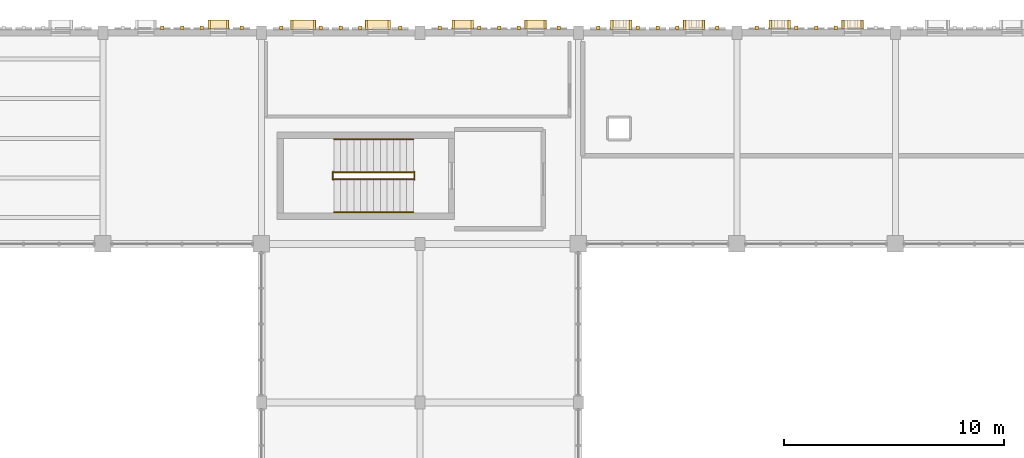
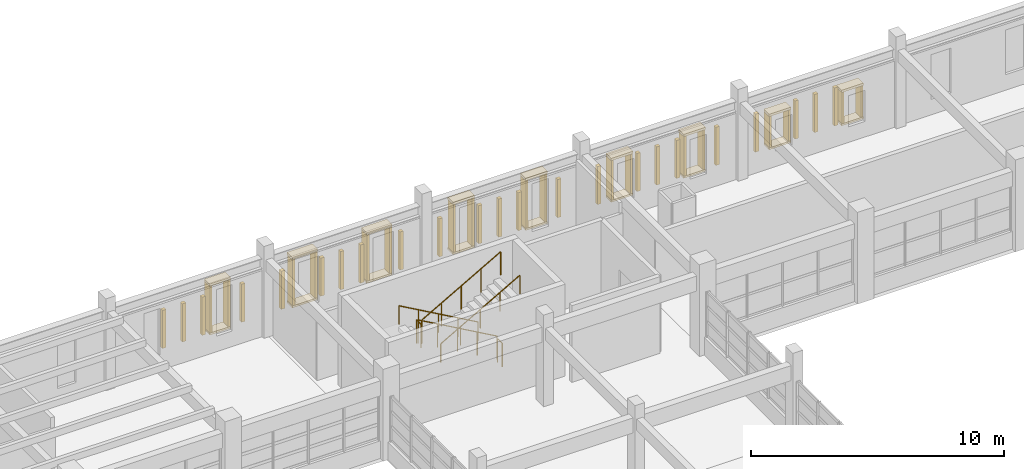
# One storey, part 59 of 69: 59 coverings, 6 railings.
"""IFC4 building model written with IfcOpenShell, lengths in metres."""

from ifc_helpers import new_model, si_unit, direction, frame, origin, origin_2d, place, context, subcontext, project, spatial, rectangle, circle, extrude, material, layer, layer_set, type_object, element, save


model = new_model("IFC4")

# Units and contexts
model_context = context("Model", 3, precision=1e-05, world=origin(), true_north=direction((0.0, 1.0)))
body_context = subcontext(model_context, "Body", "Model", "MODEL_VIEW")
ifc_project = project(units=[si_unit("LENGTHUNIT", "METRE"), si_unit("AREAUNIT", "SQUARE_METRE"), si_unit("VOLUMEUNIT", "CUBIC_METRE"), si_unit("PLANEANGLEUNIT", "RADIAN"), si_unit("MASSUNIT", "GRAM", prefix="KILO")], contexts=[model_context])

# Site, building, storey
site_placement = place(None, origin())
site = spatial("IfcSite", under=ifc_project, at=site_placement, CompositionType="ELEMENT")
building_placement = place(site_placement, origin())
building = spatial("IfcBuilding", under=site, at=building_placement, Name="Nzembalo Square Collegiate School", CompositionType="ELEMENT")
storey_placement = place(building_placement, frame((0.0, 0.0, 5.10009765625)))
storey = spatial("IfcBuildingStorey", under=building, at=storey_placement, Name="L01", CompositionType="ELEMENT", Elevation=5.10009765625)

# Coverings
ifc_material_1 = material(Name="Glazed ochre ceramic lancet rib")
ifc_layer_1 = layer(ifc_material_1, 0.159912109375, Name="Glazed ochre ceramic lancet rib")
ifc_layer_set_1 = layer_set([ifc_layer_1], Name="Glazed ochre ceramic lancet rib")
covering_type_1 = type_object("IfcCoveringType", Name="CL02", PredefinedType="CLADDING", material=ifc_layer_set_1)
for number, where, z_axis, x_axis, name in (
    (1, (72.300048828125, 114.22998046875, 0.760009765625), (0.0, 0.0, 1.0), (1.0, 0.0, 0.0), "Gothic ceramic rib CL02-X0124-2"),
    (2, (73.199951171875, 114.22998046875, 0.760009765625), (0.0, 0.0, 1.0), (1.0, 0.0, 0.0), "Gothic ceramic rib CL02-X0124-3"),
    (3, (74.10009765625, 114.22998046875, 0.760009765625), (0.0, 0.0, 1.0), (1.0, 0.0, 0.0), "Gothic ceramic rib CL02-X0124-4"),
    (4, (75.89990234375, 114.22998046875, 0.760009765625), (0.0, 0.0, 1.0), (1.0, 0.0, 0.0), "Gothic ceramic rib CL02-X0124-6"),
    (5, (77.699951171875, 114.219970703125, 0.760009765625), (0.0, 0.0, 1.0), (1.0, 0.0, 0.0), "Gothic ceramic rib CL02-X0125-0"),
    (6, (79.5, 114.219970703125, 0.760009765625), (0.0, 0.0, 1.0), (1.0, 0.0, 0.0), "Gothic ceramic rib CL02-X0125-2"),
    (7, (80.39990234375, 114.219970703125, 0.760009765625), (0.0, 0.0, 1.0), (1.0, 0.0, 0.0), "Gothic ceramic rib CL02-X0125-3"),
    (8, (81.300048828125, 114.219970703125, 0.760009765625), (0.0, 0.0, 1.0), (1.0, 0.0, 0.0), "Gothic ceramic rib CL02-X0125-4"),
    (9, (83.10009765625, 114.219970703125, 0.760009765625), (0.0, 0.0, 1.0), (1.0, 0.0, 0.0), "Gothic ceramic rib CL02-X0125-6"),
    (10, (84.89990234375, 114.22998046875, 0.760009765625), (0.0, 0.0, 1.0), (1.0, 0.0, 0.0), "Gothic ceramic rib CL02-X0126-0"),
    (11, (86.699951171875, 114.22998046875, 0.760009765625), (0.0, 0.0, 1.0), (1.0, 0.0, 0.0), "Gothic ceramic rib CL02-X0126-2"),
    (12, (87.60009765625, 114.22998046875, 0.760009765625), (0.0, 0.0, 1.0), (1.0, 0.0, 0.0), "Gothic ceramic rib CL02-X0126-3"),
    (13, (88.5, 114.22998046875, 0.760009765625), (0.0, 0.0, 1.0), (1.0, 0.0, 0.0), "Gothic ceramic rib CL02-X0126-4"),
    (14, (90.300048828125, 114.22998046875, 0.760009765625), (0.0, 0.0, 1.0), (1.0, 0.0, 0.0), "Gothic ceramic rib CL02-X0126-6"),
    (15, (92.10009765625, 114.219970703125, 0.760009765625), (0.0, 0.0, 1.0), (1.0, 0.0, 0.0), "Gothic ceramic rib CL02-X0127-0"),
    (16, (93.89990234375, 114.219970703125, 0.760009765625), (0.0, 0.0, 1.0), (1.0, 0.0, 0.0), "Gothic ceramic rib CL02-X0127-2"),
    (17, (94.800048828125, 114.219970703125, 0.760009765625), (0.0, 0.0, 1.0), (1.0, 0.0, 0.0), "Gothic ceramic rib CL02-X0127-3"),
    (18, (95.699951171875, 114.219970703125, 0.760009765625), (0.0, 0.0, 1.0), (1.0, 0.0, 0.0), "Gothic ceramic rib CL02-X0127-4"),
    (19, (97.5, 114.219970703125, 0.760009765625), (0.0, 0.0, 1.0), (1.0, 0.0, 0.0), "Gothic ceramic rib CL02-X0127-6"),
    (20, (99.300048828125, 114.22998046875, 0.760009765625), (0.0, 0.0, 1.0), (1.0, 0.0, 0.0), "Gothic ceramic rib CL02-X0128-0"),
    (21, (101.10009765625, 114.22998046875, 0.760009765625), (0.0, 0.0, 1.0), (1.0, 0.0, 0.0), "Gothic ceramic rib CL02-X0128-2"),
    (22, (102.0, 114.22998046875, 0.760009765625), (0.0, 0.0, 1.0), (1.0, 0.0, 0.0), "Gothic ceramic rib CL02-X0128-3"),
    (23, (102.89990234375, 114.22998046875, 0.760009765625), (0.0, 0.0, 1.0), (1.0, 0.0, 0.0), "Gothic ceramic rib CL02-X0128-4"),
):
    element("IfcCovering", number, at=place(storey_placement, frame(where, z_axis=z_axis, x_axis=x_axis)), inside=storey, type_object=covering_type_1, Name=name, PredefinedType="CLADDING", context=body_context, shape_type="SweptSolid", body=[
        extrude(rectangle(XDim=0.159912109375, YDim=0.159912109375, at=origin_2d()), origin(), (0.0, 0.0, 1.0), 1.833984375),
    ])
ifc_material_2 = material(Name="Glazed celadon ceramic window frame")
ifc_layer_2 = layer(ifc_material_2, 0.419921875, Name="Glazed celadon ceramic window frame")
ifc_layer_set_2 = layer_set([ifc_layer_2], Name="Glazed celadon ceramic window frame")
covering_type_2 = type_object("IfcCoveringType", Name="WF01", PredefinedType="CLADDING", material=ifc_layer_set_2)
covering_1_placement = place(storey_placement, frame((74.846435546875, 114.364990234375, 2.99462890625), z_axis=(0.0, 0.0, 1.0), x_axis=(1.0, 0.0, 0.0)))
element("IfcCovering", 24, at=covering_1_placement, inside=storey, type_object=covering_type_2, Name="Deep lancet window hood WF01-0289", PredefinedType="CLADDING", context=body_context, shape_type="SweptSolid", body=[
    extrude(rectangle(XDim=0.9599609375, YDim=0.419921875, at=origin_2d()), origin(), (0.0, 0.0, 1.0), 0.110107421875),
])
covering_2_placement = place(storey_placement, frame((74.846435546875, 114.364990234375, 0.65478515625), z_axis=(0.0, 0.0, 1.0), x_axis=(1.0, 0.0, 0.0)))
element("IfcCovering", 25, at=covering_2_placement, inside=storey, type_object=covering_type_2, Name="Deep lancet window sill WF01-0289", PredefinedType="CLADDING", context=body_context, shape_type="SweptSolid", body=[
    extrude(rectangle(XDim=0.9599609375, YDim=0.419921875, at=origin_2d()), origin(), (0.0, 0.0, 1.0), 0.090087890625),
])
for number, where, z_axis, x_axis, name in (
    (26, (74.431396484375, 114.364990234375, 0.75), (0.0, 0.0, 1.0), (1.0, 0.0, 0.0), "Deep lancet window jamb WF01-0289L"),
    (27, (75.261474609375, 114.364990234375, 0.75), (0.0, 0.0, 1.0), (1.0, 0.0, 0.0), "Deep lancet window jamb WF01-0289R"),
):
    element("IfcCovering", number, at=place(storey_placement, frame(where, z_axis=z_axis, x_axis=x_axis)), inside=storey, type_object=covering_type_2, Name=name, PredefinedType="CLADDING", context=body_context, shape_type="SweptSolid", body=[
        extrude(rectangle(XDim=0.10009765625, YDim=0.419921875, at=origin_2d()), origin(), (0.0, 0.0, 1.0), 2.239990234375),
    ])
covering_3_placement = place(storey_placement, frame((78.70361328125, 114.35498046875, 2.974609375), z_axis=(0.0, 0.0, 1.0), x_axis=(1.0, 0.0, 0.0)))
element("IfcCovering", 28, at=covering_3_placement, inside=storey, type_object=covering_type_2, Name="Deep lancet window hood WF01-0290", PredefinedType="CLADDING", context=body_context, shape_type="SweptSolid", body=[
    extrude(rectangle(XDim=1.159912109375, YDim=0.419921875, at=origin_2d()), origin(), (0.0, 0.0, 1.0), 0.110107421875),
])
covering_4_placement = place(storey_placement, frame((78.70361328125, 114.35498046875, 0.65478515625), z_axis=(0.0, 0.0, 1.0), x_axis=(1.0, 0.0, 0.0)))
element("IfcCovering", 29, at=covering_4_placement, inside=storey, type_object=covering_type_2, Name="Deep lancet window sill WF01-0290", PredefinedType="CLADDING", context=body_context, shape_type="SweptSolid", body=[
    extrude(rectangle(XDim=1.159912109375, YDim=0.419921875, at=origin_2d()), origin(), (0.0, 0.0, 1.0), 0.090087890625),
])
for number, where, z_axis, x_axis, name in (
    (30, (78.1884765625, 114.35498046875, 0.75), (0.0, 0.0, 1.0), (1.0, 0.0, 0.0), "Deep lancet window jamb WF01-0290L"),
    (31, (79.218505859375, 114.35498046875, 0.75), (0.0, 0.0, 1.0), (1.0, 0.0, 0.0), "Deep lancet window jamb WF01-0290R"),
):
    element("IfcCovering", number, at=place(storey_placement, frame(where, z_axis=z_axis, x_axis=x_axis)), inside=storey, type_object=covering_type_2, Name=name, PredefinedType="CLADDING", context=body_context, shape_type="SweptSolid", body=[
        extrude(rectangle(XDim=0.10009765625, YDim=0.419921875, at=origin_2d()), origin(), (0.0, 0.0, 1.0), 2.219970703125),
    ])
covering_5_placement = place(storey_placement, frame((82.096435546875, 114.35498046875, 2.974609375), z_axis=(0.0, 0.0, 1.0), x_axis=(1.0, 0.0, 0.0)))
element("IfcCovering", 32, at=covering_5_placement, inside=storey, type_object=covering_type_2, Name="Deep lancet window hood WF01-0291", PredefinedType="CLADDING", context=body_context, shape_type="SweptSolid", body=[
    extrude(rectangle(XDim=1.159912109375, YDim=0.419921875, at=origin_2d()), origin(), (0.0, 0.0, 1.0), 0.110107421875),
])
covering_6_placement = place(storey_placement, frame((82.096435546875, 114.35498046875, 0.65478515625), z_axis=(0.0, 0.0, 1.0), x_axis=(1.0, 0.0, 0.0)))
element("IfcCovering", 33, at=covering_6_placement, inside=storey, type_object=covering_type_2, Name="Deep lancet window sill WF01-0291", PredefinedType="CLADDING", context=body_context, shape_type="SweptSolid", body=[
    extrude(rectangle(XDim=1.159912109375, YDim=0.419921875, at=origin_2d()), origin(), (0.0, 0.0, 1.0), 0.090087890625),
])
for number, where, z_axis, x_axis, name in (
    (34, (81.58154296875, 114.35498046875, 0.75), (0.0, 0.0, 1.0), (1.0, 0.0, 0.0), "Deep lancet window jamb WF01-0291L"),
    (35, (82.611572265625, 114.35498046875, 0.75), (0.0, 0.0, 1.0), (1.0, 0.0, 0.0), "Deep lancet window jamb WF01-0291R"),
):
    element("IfcCovering", number, at=place(storey_placement, frame(where, z_axis=z_axis, x_axis=x_axis)), inside=storey, type_object=covering_type_2, Name=name, PredefinedType="CLADDING", context=body_context, shape_type="SweptSolid", body=[
        extrude(rectangle(XDim=0.10009765625, YDim=0.419921875, at=origin_2d()), origin(), (0.0, 0.0, 1.0), 2.219970703125),
    ])
covering_7_placement = place(storey_placement, frame((85.946044921875, 114.364990234375, 3.0546875), z_axis=(0.0, 0.0, 1.0), x_axis=(1.0, 0.0, 0.0)))
element("IfcCovering", 36, at=covering_7_placement, inside=storey, type_object=covering_type_2, Name="Deep lancet window hood WF01-0296", PredefinedType="CLADDING", context=body_context, shape_type="SweptSolid", body=[
    extrude(rectangle(XDim=0.989990234375, YDim=0.419921875, at=origin_2d()), origin(), (0.0, 0.0, 1.0), 0.110107421875),
])
covering_8_placement = place(storey_placement, frame((85.946044921875, 114.364990234375, 0.65478515625), z_axis=(0.0, 0.0, 1.0), x_axis=(1.0, 0.0, 0.0)))
element("IfcCovering", 37, at=covering_8_placement, inside=storey, type_object=covering_type_2, Name="Deep lancet window sill WF01-0296", PredefinedType="CLADDING", context=body_context, shape_type="SweptSolid", body=[
    extrude(rectangle(XDim=0.989990234375, YDim=0.419921875, at=origin_2d()), origin(), (0.0, 0.0, 1.0), 0.090087890625),
])
for number, where, z_axis, x_axis, name in (
    (38, (85.51611328125, 114.364990234375, 0.75), (0.0, 0.0, 1.0), (1.0, 0.0, 0.0), "Deep lancet window jamb WF01-0296L"),
    (39, (86.3759765625, 114.364990234375, 0.75), (0.0, 0.0, 1.0), (1.0, 0.0, 0.0), "Deep lancet window jamb WF01-0296R"),
):
    element("IfcCovering", number, at=place(storey_placement, frame(where, z_axis=z_axis, x_axis=x_axis)), inside=storey, type_object=covering_type_2, Name=name, PredefinedType="CLADDING", context=body_context, shape_type="SweptSolid", body=[
        extrude(rectangle(XDim=0.10009765625, YDim=0.419921875, at=origin_2d()), origin(), (0.0, 0.0, 1.0), 2.300048828125),
    ])
covering_9_placement = place(storey_placement, frame((89.25390625, 114.364990234375, 3.0546875), z_axis=(0.0, 0.0, 1.0), x_axis=(1.0, 0.0, 0.0)))
element("IfcCovering", 40, at=covering_9_placement, inside=storey, type_object=covering_type_2, Name="Deep lancet window hood WF01-0297", PredefinedType="CLADDING", context=body_context, shape_type="SweptSolid", body=[
    extrude(rectangle(XDim=0.989990234375, YDim=0.419921875, at=origin_2d()), origin(), (0.0, 0.0, 1.0), 0.110107421875),
])
covering_10_placement = place(storey_placement, frame((89.25390625, 114.364990234375, 0.65478515625), z_axis=(0.0, 0.0, 1.0), x_axis=(1.0, 0.0, 0.0)))
element("IfcCovering", 41, at=covering_10_placement, inside=storey, type_object=covering_type_2, Name="Deep lancet window sill WF01-0297", PredefinedType="CLADDING", context=body_context, shape_type="SweptSolid", body=[
    extrude(rectangle(XDim=0.989990234375, YDim=0.419921875, at=origin_2d()), origin(), (0.0, 0.0, 1.0), 0.090087890625),
])
for number, where, z_axis, x_axis, name in (
    (42, (88.823974609375, 114.364990234375, 0.75), (0.0, 0.0, 1.0), (1.0, 0.0, 0.0), "Deep lancet window jamb WF01-0297L"),
    (43, (89.68408203125, 114.364990234375, 0.75), (0.0, 0.0, 1.0), (1.0, 0.0, 0.0), "Deep lancet window jamb WF01-0297R"),
):
    element("IfcCovering", number, at=place(storey_placement, frame(where, z_axis=z_axis, x_axis=x_axis)), inside=storey, type_object=covering_type_2, Name=name, PredefinedType="CLADDING", context=body_context, shape_type="SweptSolid", body=[
        extrude(rectangle(XDim=0.10009765625, YDim=0.419921875, at=origin_2d()), origin(), (0.0, 0.0, 1.0), 2.300048828125),
    ])
covering_11_placement = place(storey_placement, frame((93.14599609375, 114.35498046875, 2.65478515625), z_axis=(0.0, 0.0, 1.0), x_axis=(1.0, 0.0, 0.0)))
element("IfcCovering", 44, at=covering_11_placement, inside=storey, type_object=covering_type_2, Name="Deep lancet window hood WF01-0298", PredefinedType="CLADDING", context=body_context, shape_type="SweptSolid", body=[
    extrude(rectangle(XDim=0.989990234375, YDim=0.419921875, at=origin_2d()), origin(), (0.0, 0.0, 1.0), 0.110107421875),
])
covering_12_placement = place(storey_placement, frame((93.14599609375, 114.35498046875, 0.65478515625), z_axis=(0.0, 0.0, 1.0), x_axis=(1.0, 0.0, 0.0)))
element("IfcCovering", 45, at=covering_12_placement, inside=storey, type_object=covering_type_2, Name="Deep lancet window sill WF01-0298", PredefinedType="CLADDING", context=body_context, shape_type="SweptSolid", body=[
    extrude(rectangle(XDim=0.989990234375, YDim=0.419921875, at=origin_2d()), origin(), (0.0, 0.0, 1.0), 0.090087890625),
])
for number, where, z_axis, x_axis, name in (
    (46, (92.716064453125, 114.35498046875, 0.75), (0.0, 0.0, 1.0), (1.0, 0.0, 0.0), "Deep lancet window jamb WF01-0298L"),
    (47, (93.575927734375, 114.35498046875, 0.75), (0.0, 0.0, 1.0), (1.0, 0.0, 0.0), "Deep lancet window jamb WF01-0298R"),
):
    element("IfcCovering", number, at=place(storey_placement, frame(where, z_axis=z_axis, x_axis=x_axis)), inside=storey, type_object=covering_type_2, Name=name, PredefinedType="CLADDING", context=body_context, shape_type="SweptSolid", body=[
        extrude(rectangle(XDim=0.10009765625, YDim=0.419921875, at=origin_2d()), origin(), (0.0, 0.0, 1.0), 1.89990234375),
    ])
covering_13_placement = place(storey_placement, frame((96.4541015625, 114.35498046875, 2.65478515625), z_axis=(0.0, 0.0, 1.0), x_axis=(1.0, 0.0, 0.0)))
element("IfcCovering", 48, at=covering_13_placement, inside=storey, type_object=covering_type_2, Name="Deep lancet window hood WF01-0299", PredefinedType="CLADDING", context=body_context, shape_type="SweptSolid", body=[
    extrude(rectangle(XDim=0.989990234375, YDim=0.419921875, at=origin_2d()), origin(), (0.0, 0.0, 1.0), 0.110107421875),
])
covering_14_placement = place(storey_placement, frame((96.4541015625, 114.35498046875, 0.65478515625), z_axis=(0.0, 0.0, 1.0), x_axis=(1.0, 0.0, 0.0)))
element("IfcCovering", 49, at=covering_14_placement, inside=storey, type_object=covering_type_2, Name="Deep lancet window sill WF01-0299", PredefinedType="CLADDING", context=body_context, shape_type="SweptSolid", body=[
    extrude(rectangle(XDim=0.989990234375, YDim=0.419921875, at=origin_2d()), origin(), (0.0, 0.0, 1.0), 0.090087890625),
])
for number, where, z_axis, x_axis, name in (
    (50, (96.02392578125, 114.35498046875, 0.75), (0.0, 0.0, 1.0), (1.0, 0.0, 0.0), "Deep lancet window jamb WF01-0299L"),
    (51, (96.884033203125, 114.35498046875, 0.75), (0.0, 0.0, 1.0), (1.0, 0.0, 0.0), "Deep lancet window jamb WF01-0299R"),
):
    element("IfcCovering", number, at=place(storey_placement, frame(where, z_axis=z_axis, x_axis=x_axis)), inside=storey, type_object=covering_type_2, Name=name, PredefinedType="CLADDING", context=body_context, shape_type="SweptSolid", body=[
        extrude(rectangle(XDim=0.10009765625, YDim=0.419921875, at=origin_2d()), origin(), (0.0, 0.0, 1.0), 1.89990234375),
    ])
covering_15_placement = place(storey_placement, frame((100.345947265625, 114.364990234375, 2.2548828125), z_axis=(0.0, 0.0, 1.0), x_axis=(1.0, 0.0, 0.0)))
element("IfcCovering", 52, at=covering_15_placement, inside=storey, type_object=covering_type_2, Name="Deep lancet window hood WF01-0300", PredefinedType="CLADDING", context=body_context, shape_type="SweptSolid", body=[
    extrude(rectangle(XDim=0.989990234375, YDim=0.419921875, at=origin_2d()), origin(), (0.0, 0.0, 1.0), 0.110107421875),
])
covering_16_placement = place(storey_placement, frame((100.345947265625, 114.364990234375, 0.65478515625), z_axis=(0.0, 0.0, 1.0), x_axis=(1.0, 0.0, 0.0)))
element("IfcCovering", 53, at=covering_16_placement, inside=storey, type_object=covering_type_2, Name="Deep lancet window sill WF01-0300", PredefinedType="CLADDING", context=body_context, shape_type="SweptSolid", body=[
    extrude(rectangle(XDim=0.989990234375, YDim=0.419921875, at=origin_2d()), origin(), (0.0, 0.0, 1.0), 0.090087890625),
])
for number, where, z_axis, x_axis, name in (
    (54, (99.916015625, 114.364990234375, 0.75), (0.0, 0.0, 1.0), (1.0, 0.0, 0.0), "Deep lancet window jamb WF01-0300L"),
    (55, (100.77587890625, 114.364990234375, 0.75), (0.0, 0.0, 1.0), (1.0, 0.0, 0.0), "Deep lancet window jamb WF01-0300R"),
):
    element("IfcCovering", number, at=place(storey_placement, frame(where, z_axis=z_axis, x_axis=x_axis)), inside=storey, type_object=covering_type_2, Name=name, PredefinedType="CLADDING", context=body_context, shape_type="SweptSolid", body=[
        extrude(rectangle(XDim=0.10009765625, YDim=0.419921875, at=origin_2d()), origin(), (0.0, 0.0, 1.0), 1.5),
    ])
covering_17_placement = place(storey_placement, frame((103.654052734375, 114.364990234375, 2.2548828125), z_axis=(0.0, 0.0, 1.0), x_axis=(1.0, 0.0, 0.0)))
element("IfcCovering", 56, at=covering_17_placement, inside=storey, type_object=covering_type_2, Name="Deep lancet window hood WF01-0301", PredefinedType="CLADDING", context=body_context, shape_type="SweptSolid", body=[
    extrude(rectangle(XDim=0.989990234375, YDim=0.419921875, at=origin_2d()), origin(), (0.0, 0.0, 1.0), 0.110107421875),
])
covering_18_placement = place(storey_placement, frame((103.654052734375, 114.364990234375, 0.65478515625), z_axis=(0.0, 0.0, 1.0), x_axis=(1.0, 0.0, 0.0)))
element("IfcCovering", 57, at=covering_18_placement, inside=storey, type_object=covering_type_2, Name="Deep lancet window sill WF01-0301", PredefinedType="CLADDING", context=body_context, shape_type="SweptSolid", body=[
    extrude(rectangle(XDim=0.989990234375, YDim=0.419921875, at=origin_2d()), origin(), (0.0, 0.0, 1.0), 0.090087890625),
])
for number, where, z_axis, x_axis, name in (
    (58, (103.22412109375, 114.364990234375, 0.75), (0.0, 0.0, 1.0), (1.0, 0.0, 0.0), "Deep lancet window jamb WF01-0301L"),
    (59, (104.083984375, 114.364990234375, 0.75), (0.0, 0.0, 1.0), (1.0, 0.0, 0.0), "Deep lancet window jamb WF01-0301R"),
):
    element("IfcCovering", number, at=place(storey_placement, frame(where, z_axis=z_axis, x_axis=x_axis)), inside=storey, type_object=covering_type_2, Name=name, PredefinedType="CLADDING", context=body_context, shape_type="SweptSolid", body=[
        extrude(rectangle(XDim=0.10009765625, YDim=0.419921875, at=origin_2d()), origin(), (0.0, 0.0, 1.0), 1.5),
    ])

# Railings
ifc_material_3 = material(Name="Steel S355", Category="steel")
railing_type_1 = type_object("IfcRailingType", Name="GR01", PredefinedType="GUARDRAIL", material=ifc_material_3)
railing_1_placement = place(storey_placement, frame((83.699951171875, 107.64990234375, 0.159912109375)))
element("IfcRailing", 60, at=railing_1_placement, inside=storey, type_object=railing_type_1, Name="Stair guard GR-11-1", PredefinedType="GUARDRAIL", context=body_context, shape_type="SweptSolid", body=[
    extrude(circle(Radius=0.02392578125, at=origin_2d()), frame((0.0, 0.0, 1.1259765625), z_axis=(-0.870009531279, 0.0, 0.493034902907), x_axis=(0.0, -1.0, 0.0)), (0.0, 0.0, 1.0), 4.1376953125),
    extrude(circle(Radius=0.02099609375, at=origin_2d()), origin(), (0.0, 0.0, 1.0), 1.101806640625),
    extrude(circle(Radius=0.02099609375, at=origin_2d()), frame((-0.89990234375, 0.0, 0.510009765625)), (0.0, 0.0, 1.0), 1.101806640625),
    extrude(circle(Radius=0.02099609375, at=origin_2d()), frame((-1.7998046875, 0.0, 1.02001953125)), (0.0, 0.0, 1.0), 1.101806640625),
    extrude(circle(Radius=0.02099609375, at=origin_2d()), frame((-2.699951171875, 0.0, 1.530029296875)), (0.0, 0.0, 1.0), 1.101806640625),
    extrude(circle(Radius=0.02099609375, at=origin_2d()), frame((-3.599853515625, 0.0, 2.0400390625)), (0.0, 0.0, 1.0), 1.101806640625),
])
railing_2_placement = place(storey_placement, frame((80.050048828125, 107.320068359375, 2.204833984375)))
element("IfcRailing", 61, at=railing_2_placement, inside=storey, type_object=railing_type_1, Name="Stair guard GR-11-2", PredefinedType="GUARDRAIL", context=body_context, shape_type="SweptSolid", body=[
    extrude(circle(Radius=0.02392578125, at=origin_2d()), frame((0.0, 0.0, 1.1259765625), z_axis=(0.0, 1.0, 0.0), x_axis=(-1.0, 0.0, 0.0)), (0.0, 0.0, 1.0), 0.35986328125),
    extrude(circle(Radius=0.02099609375, at=origin_2d()), origin(), (0.0, 0.0, 1.0), 1.101806640625),
    extrude(circle(Radius=0.02099609375, at=origin_2d()), frame((0.0, 0.35986328125, 0.0)), (0.0, 0.0, 1.0), 1.101806640625),
])
railing_3_placement = place(storey_placement, frame((80.10009765625, 107.35009765625, 2.369873046875)))
element("IfcRailing", 62, at=railing_3_placement, inside=storey, type_object=railing_type_1, Name="Stair guard GR-11-3", PredefinedType="GUARDRAIL", context=body_context, shape_type="SweptSolid", body=[
    extrude(circle(Radius=0.02392578125, at=origin_2d()), frame((0.0, 0.0, 1.1259765625), z_axis=(0.870009531279, 0.0, 0.493034902907), x_axis=(0.0, 1.0, 0.0)), (0.0, 0.0, 1.0), 4.1376953125),
    extrude(circle(Radius=0.02099609375, at=origin_2d()), origin(), (0.0, 0.0, 1.0), 1.101806640625),
    extrude(circle(Radius=0.02099609375, at=origin_2d()), frame((0.89990234375, 0.0, 0.510009765625)), (0.0, 0.0, 1.0), 1.101806640625),
    extrude(circle(Radius=0.02099609375, at=origin_2d()), frame((1.7998046875, 0.0, 1.02001953125)), (0.0, 0.0, 1.0), 1.101806640625),
    extrude(circle(Radius=0.02099609375, at=origin_2d()), frame((2.699951171875, 0.0, 1.530029296875)), (0.0, 0.0, 1.0), 1.101806640625),
    extrude(circle(Radius=0.02099609375, at=origin_2d()), frame((3.599853515625, 0.0, 2.0400390625)), (0.0, 0.0, 1.0), 1.101806640625),
])
railing_4_placement = place(storey_placement, frame((83.75, 107.320068359375, -0.005126953125)))
element("IfcRailing", 63, at=railing_4_placement, inside=storey, type_object=railing_type_1, Name="Stair guard GR-11-4", PredefinedType="GUARDRAIL", context=body_context, shape_type="SweptSolid", body=[
    extrude(circle(Radius=0.02392578125, at=origin_2d()), frame((0.0, 0.0, 1.1259765625), z_axis=(0.0, 1.0, 0.0), x_axis=(-1.0, 0.0, 0.0)), (0.0, 0.0, 1.0), 0.35986328125),
    extrude(circle(Radius=0.02099609375, at=origin_2d()), origin(), (0.0, 0.0, 1.0), 1.101806640625),
    extrude(circle(Radius=0.02099609375, at=origin_2d()), frame((0.0, 0.35986328125, 0.0)), (0.0, 0.0, 1.0), 1.101806640625),
])
ifc_material_4 = material(Name="Steel S355", Category="steel")
railing_type_2 = type_object("IfcRailingType", Name="HR01", PredefinedType="HANDRAIL", material=ifc_material_4)
railing_5_placement = place(storey_placement, frame((83.699951171875, 109.14990234375, 0.159912109375)))
element("IfcRailing", 64, at=railing_5_placement, inside=storey, type_object=railing_type_2, Name="Stair handrail HR-11-1", PredefinedType="HANDRAIL", context=body_context, shape_type="SweptSolid", body=[
    extrude(circle(Radius=0.02392578125, at=origin_2d()), frame((0.0, 0.0, 0.89599609375), z_axis=(-0.870009531279, 0.0, 0.493034902907), x_axis=(0.0, -1.0, 0.0)), (0.0, 0.0, 1.0), 4.1376953125),
    extrude(circle(Radius=0.02099609375, at=origin_2d()), origin(), (0.0, 0.0, 1.0), 0.871826171875),
    extrude(circle(Radius=0.02099609375, at=origin_2d()), frame((-0.89990234375, 0.0, 0.510009765625)), (0.0, 0.0, 1.0), 0.871826171875),
    extrude(circle(Radius=0.02099609375, at=origin_2d()), frame((-1.7998046875, 0.0, 1.02001953125)), (0.0, 0.0, 1.0), 0.871826171875),
    extrude(circle(Radius=0.02099609375, at=origin_2d()), frame((-2.699951171875, 0.0, 1.530029296875)), (0.0, 0.0, 1.0), 0.871826171875),
    extrude(circle(Radius=0.02099609375, at=origin_2d()), frame((-3.599853515625, 0.0, 2.0400390625)), (0.0, 0.0, 1.0), 0.871826171875),
])
railing_6_placement = place(storey_placement, frame((80.10009765625, 105.85009765625, 2.369873046875)))
element("IfcRailing", 65, at=railing_6_placement, inside=storey, type_object=railing_type_2, Name="Stair handrail HR-11-2", PredefinedType="HANDRAIL", context=body_context, shape_type="SweptSolid", body=[
    extrude(circle(Radius=0.02392578125, at=origin_2d()), frame((0.0, 0.0, 0.89599609375), z_axis=(0.870009531279, 0.0, 0.493034902907), x_axis=(0.0, 1.0, 0.0)), (0.0, 0.0, 1.0), 4.1376953125),
    extrude(circle(Radius=0.02099609375, at=origin_2d()), origin(), (0.0, 0.0, 1.0), 0.871826171875),
    extrude(circle(Radius=0.02099609375, at=origin_2d()), frame((0.89990234375, 0.0, 0.510009765625)), (0.0, 0.0, 1.0), 0.871826171875),
    extrude(circle(Radius=0.02099609375, at=origin_2d()), frame((1.7998046875, 0.0, 1.02001953125)), (0.0, 0.0, 1.0), 0.871826171875),
    extrude(circle(Radius=0.02099609375, at=origin_2d()), frame((2.699951171875, 0.0, 1.530029296875)), (0.0, 0.0, 1.0), 0.871826171875),
    extrude(circle(Radius=0.02099609375, at=origin_2d()), frame((3.599853515625, 0.0, 2.0400390625)), (0.0, 0.0, 1.0), 0.871826171875),
])

save(model, "model.ifc")
